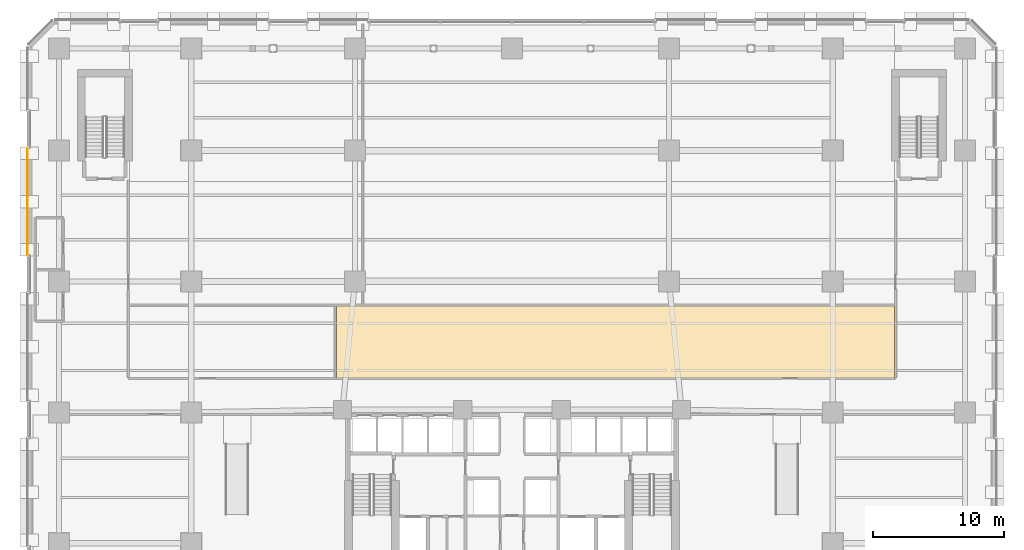
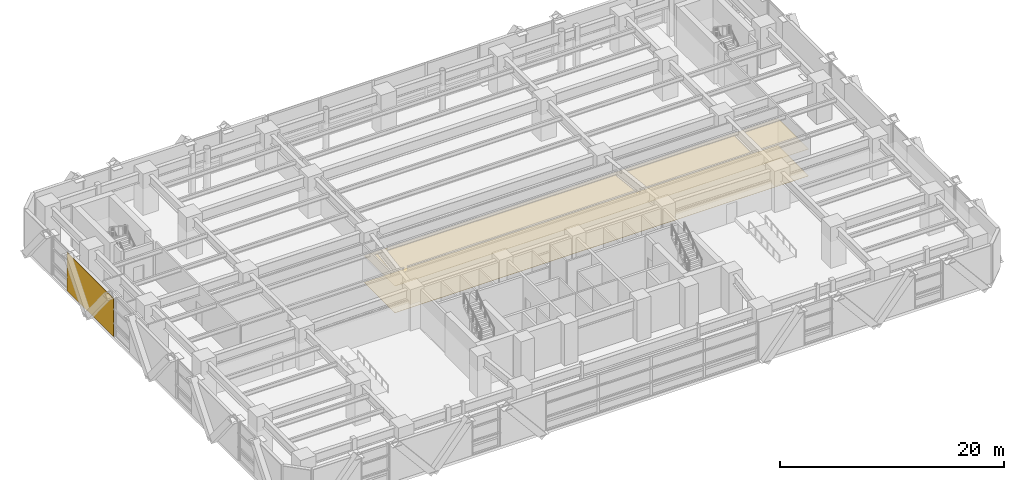
# One storey, part 23 of 26: 3 coverings.
"""IFC4 building model written with IfcOpenShell, lengths in metres."""

import ifcopenshell
import ifcopenshell.guid

model = None  # the IFC model being written
_history = None  # IfcOwnerHistory: only IFC2X3 demands one
_inside = {}  # id of a spatial element -> (the spatial element, [elements in it])
_under = {}  # id of a project, library or spatial element -> (it, [spatial elements below it])
_declared = {}  # id of a project -> (the project, [libraries it declares])
_typed = {}  # id of a type object -> (the type object, [elements of that type])
_made_of = {}  # id of a material, layer set ... -> (it, [elements and type objects made of it])


def new_model(schema):
    """Start an empty IFC model of exactly this schema.

    Asked for "IFC4X3", IfcOpenShell would pick the latest addendum, in which some entities
    have other attributes; the version numbers below select the first issue.
    IFC2X3 requires an IfcOwnerHistory on every rooted entity: one is made here for all.
    """
    global model, _history
    if schema == "IFC4X3":
        model = ifcopenshell.file(schema_version=(4, 3, 0, 0))
    else:
        model = ifcopenshell.file(schema=schema)
    _inside.clear()
    _under.clear()
    _declared.clear()
    _typed.clear()
    _made_of.clear()
    _history = None
    if model.schema == "IFC2X3":
        org = make("IfcOrganization", Name="unknown")
        user = make(
            "IfcPersonAndOrganization",
            ThePerson=make("IfcPerson", FamilyName="unknown"),
            TheOrganization=org,
        )
        app = make(
            "IfcApplication",
            ApplicationDeveloper=org,
            Version="unknown",
            ApplicationFullName="unknown",
            ApplicationIdentifier="unknown",
        )
        _history = make(
            "IfcOwnerHistory",
            OwningUser=user,
            OwningApplication=app,
            ChangeAction="ADDED",
            CreationDate=0,
        )
    return model


def make(cls, **values):
    """One entity of the class cls with the attributes given. An attribute that is None is left unset."""
    return model.create_entity(
        cls, **{name: value for name, value in values.items() if value is not None}
    )


def rooted(cls, **values):
    """An entity with a GlobalId (a new one), such as an element, a storey or a relation."""
    return make(cls, GlobalId=ifcopenshell.guid.new(), OwnerHistory=_history, **values)


def si_unit(unit_type, name, prefix=None):
    """IfcSIUnit, for example si_unit("LENGTHUNIT", "METRE", prefix="MILLI")."""
    return make("IfcSIUnit", UnitType=unit_type, Prefix=prefix, Name=name)


def assignment(units):
    """IfcUnitAssignment: the units of a project."""
    return None if units is None else make("IfcUnitAssignment", Units=units)


def point(xyz):
    """IfcCartesianPoint."""
    return None if xyz is None else make("IfcCartesianPoint", Coordinates=xyz)


def direction(xyz):
    """IfcDirection."""
    return None if xyz is None else make("IfcDirection", DirectionRatios=xyz)


def frame(location, z_axis=None, x_axis=None):
    """IfcAxis2Placement3D, a coordinate frame: its origin and axes. An axis left out is left unset."""
    return make(
        "IfcAxis2Placement3D",
        Location=point(location),
        Axis=direction(z_axis),
        RefDirection=direction(x_axis),
    )


def origin():
    """The frame at (0, 0, 0) with its axes left unset."""
    return frame((0.0, 0.0, 0.0))


def place(relative_to, where):
    """IfcLocalPlacement: puts the frame where relative to a parent placement (None: the world)."""
    return make(
        "IfcLocalPlacement", PlacementRelTo=relative_to, RelativePlacement=where
    )


def context(
    kind, dimensions, precision=None, world=None, true_north=None, identifier=None
):
    """IfcGeometricRepresentationContext, for example the 3D "Model" context."""
    return make(
        "IfcGeometricRepresentationContext",
        ContextIdentifier=identifier,
        ContextType=kind,
        CoordinateSpaceDimension=dimensions,
        Precision=precision,
        WorldCoordinateSystem=world,
        TrueNorth=true_north,
    )


def subcontext(parent, identifier, kind, view, scale=None):
    """IfcGeometricRepresentationSubContext, for example "Body" below "Model"."""
    return make(
        "IfcGeometricRepresentationSubContext",
        ContextIdentifier=identifier,
        ContextType=kind,
        ParentContext=parent,
        TargetScale=scale,
        TargetView=view,
    )


def project(units=None, contexts=None):
    """IfcProject with its units and contexts."""
    return rooted(
        "IfcProject",
        Name="project",
        RepresentationContexts=contexts,
        UnitsInContext=assignment(units),
    )


def spatial(cls, under=None, at=None, **own):
    """A site, building, storey or space (cls), placed at a placement, below another one or the project."""
    s = rooted(cls, ObjectPlacement=at, **own)
    if under is not None:
        _under.setdefault(under.id(), (under, []))[1].append(s)
    return s


def polyline(points):
    """IfcPolyline through the points."""
    return make("IfcPolyline", Points=[point(p) for p in points])


def outline(outer, holes=None, kind="AREA"):
    """IfcArbitraryClosedProfileDef: a profile drawn as a closed curve; with holes, ...WithVoids."""
    if holes is None:
        return make("IfcArbitraryClosedProfileDef", ProfileType=kind, OuterCurve=outer)
    return make(
        "IfcArbitraryProfileDefWithVoids",
        ProfileType=kind,
        OuterCurve=outer,
        InnerCurves=holes,
    )


def extrude(swept, where, along, depth):
    """IfcExtrudedAreaSolid: the profile swept, set in the frame where, extruded along a direction by depth."""
    return make(
        "IfcExtrudedAreaSolid",
        SweptArea=swept,
        Position=where,
        ExtrudedDirection=direction(along),
        Depth=depth,
    )


def shape(context_of_items, identifier, shape_type, items):
    """IfcShapeRepresentation: the items that make up one representation, for example the "Body"."""
    return make(
        "IfcShapeRepresentation",
        ContextOfItems=context_of_items,
        RepresentationIdentifier=identifier,
        RepresentationType=shape_type,
        Items=items,
    )


def material(Name=None, Category=None):
    """IfcMaterial."""
    return make("IfcMaterial", Name=Name, Category=Category)


def layer(
    of_material, thickness, ventilated=None, Name=None, Category=None, Priority=None
):
    """IfcMaterialLayer: one layer of a wall or slab, of a material (None: an air gap)."""
    return make(
        "IfcMaterialLayer",
        Material=of_material,
        LayerThickness=thickness,
        IsVentilated=ventilated,
        Name=Name,
        Category=Category,
        Priority=Priority,
    )


def layer_set(layers, Name=None):
    """IfcMaterialLayerSet."""
    return make("IfcMaterialLayerSet", MaterialLayers=layers, LayerSetName=Name)


def made_of(thing, what):
    """Note that an element or type object is made of a material, layer set ...; save() writes the relation."""
    if what is not None:
        _made_of.setdefault(what.id(), (what, []))[1].append(thing)
    return thing


def type_object(cls, material=None, **own):
    """A type object (cls), such as IfcWallType, which elements share."""
    return made_of(rooted(cls, **own), material)


def element(
    cls,
    number,
    at=None,
    inside=None,
    cuts=None,
    type_object=None,
    material=None,
    context=None,
    identifier="Body",
    shape_type=None,
    held_by="IfcProductDefinitionShape",
    body=None,
    shapes=None,
    **own,
):
    """One element of the class cls, such as IfcWall. Its Tag is "e" and its number.

    at: its placement. inside: the storey or other place that contains it. cuts: it is an
    opening in that element (IfcRelVoidsElement). A single representation is given by context,
    identifier, shape_type and body (its items); several are given by shapes. held_by: the class
    of the entity that holds the representations. save() writes the other relations.
    """
    e = rooted(cls, Tag="e%d" % number, ObjectPlacement=at, **own)
    if body is not None:
        shapes = [shape(context, identifier, shape_type, body)]
    if shapes is not None:
        e.Representation = make(held_by, Representations=shapes)
    if inside is not None:
        _inside.setdefault(inside.id(), (inside, []))[1].append(e)
    if cuts is not None:
        rooted(
            "IfcRelVoidsElement", RelatingBuildingElement=cuts, RelatedOpeningElement=e
        )
    if type_object is not None:
        _typed.setdefault(type_object.id(), (type_object, []))[1].append(e)
    return made_of(e, material)


def aggregate(whole, parts):
    """IfcRelAggregates: a whole, such as a stair, and the parts it consists of."""
    return rooted("IfcRelAggregates", RelatingObject=whole, RelatedObjects=parts)


def save(model, path):
    """Write the relations noted so far, then the file.

    IfcRelAggregates (storeys below a building ...), IfcRelContainedInSpatialStructure (elements
    in a storey), IfcRelDefinesByType, IfcRelAssociatesMaterial and IfcRelDeclares: one each for
    every whole, place, type object, material and project.
    """
    for whole, parts in _under.values():
        aggregate(whole, parts)
    for where, things in _inside.values():
        rooted(
            "IfcRelContainedInSpatialStructure",
            RelatedElements=things,
            RelatingStructure=where,
        )
    for kind, things in _typed.values():
        rooted("IfcRelDefinesByType", RelatedObjects=things, RelatingType=kind)
    for what, things in _made_of.values():
        rooted("IfcRelAssociatesMaterial", RelatedObjects=things, RelatingMaterial=what)
    for by, libraries in _declared.values():
        rooted("IfcRelDeclares", RelatingContext=by, RelatedDefinitions=libraries)
    model.write(path)


model = new_model("IFC4")

# Units and contexts
model_context = context("Model", 3, precision=1e-05, world=origin(), true_north=direction((0.0, 1.0)))
body_context = subcontext(model_context, "Body", "Model", "MODEL_VIEW")
ifc_project = project(units=[si_unit("LENGTHUNIT", "METRE"), si_unit("AREAUNIT", "SQUARE_METRE"), si_unit("VOLUMEUNIT", "CUBIC_METRE"), si_unit("PLANEANGLEUNIT", "RADIAN"), si_unit("MASSUNIT", "GRAM", prefix="KILO")], contexts=[model_context])

# Site, building, storey
site_placement = place(None, origin())
site = spatial("IfcSite", under=ifc_project, at=site_placement, CompositionType="ELEMENT")
building_placement = place(site_placement, origin())
building = spatial("IfcBuilding", under=site, at=building_placement, Name="Quenlor Broadcast Tower", CompositionType="ELEMENT")
storey_placement = place(building_placement, frame((0.0, 0.0, 5.0)))
storey = spatial("IfcBuildingStorey", under=building, at=storey_placement, Name="L01", CompositionType="ELEMENT", Elevation=5.0)

# Coverings
ifc_material_1 = material(Name="Acoustic Mineral Fibre Board", Category="other")
ifc_layer_1 = layer(ifc_material_1, 0.02490234375)
ifc_layer_set_1 = layer_set([ifc_layer_1], Name="Acoustic Perforated Mineral Tile Ceiling 25")
covering_type_1 = type_object("IfcCoveringType", Name="Acoustic Perforated Mineral Tile Ceiling 25", PredefinedType="CEILING", material=ifc_layer_set_1)
covering_1_placement = place(storey_placement, frame((0.0, 0.0, 2.925048828125)))
element("IfcCovering", 1, at=covering_1_placement, inside=storey, type_object=covering_type_1, Name="L01 Acoustic Ceiling L01-36", PredefinedType="CEILING", context=body_context, shape_type="SweptSolid", body=[
    extrude(outline(polyline([(29.199951171875, -2.360107421875), (-13.419921875, -2.360107421875), (-13.419921875, 3.1201171875), (29.199951171875, 3.1201171875), (29.199951171875, -2.360107421875)])), origin(), (0.0, 0.0, 1.0), 0.02490234375),
])
ifc_material_2 = material(Name="Architectural Terracotta Ceramic", Category="masonry")
ifc_layer_2 = layer(ifc_material_2, 0.044921875)
ifc_layer_set_2 = layer_set([ifc_layer_2], Name="Fluted Terracotta Rainscreen Cladding Panel")
covering_type_2 = type_object("IfcCoveringType", Name="Fluted Terracotta Rainscreen Cladding Panel", PredefinedType="CLADDING", material=ifc_layer_set_2)
covering_2_placement = place(storey_placement, frame((0.0, 0.0, 0.02001953125)))
element("IfcCovering", 2, at=covering_2_placement, inside=storey, type_object=covering_type_2, Name="L01 Terracotta Rainscreen Cladding L01-W-FULL-SP4", PredefinedType="CLADDING", context=body_context, shape_type="SweptSolid", body=[
    extrude(outline(polyline([(-36.971923828125, 6.977294921875), (-36.971923828125, 15.22265625), (-37.01708984375, 15.22265625), (-37.01708984375, 6.977294921875), (-36.971923828125, 6.977294921875)])), origin(), (0.0, 0.0, 1.0), 4.159912109375),
])
ifc_material_3 = material(Name="Terrazzo Stone Finish", Category="masonry")
ifc_layer_3 = layer(ifc_material_3, 0.02001953125)
ifc_layer_set_3 = layer_set([ifc_layer_3], Name="Polished Sandstone Terrazzo Flooring 20")
covering_type_3 = type_object("IfcCoveringType", Name="Polished Sandstone Terrazzo Flooring 20", PredefinedType="FLOORING", material=ifc_layer_set_3)
covering_3_placement = place(storey_placement, origin())
element("IfcCovering", 3, at=covering_3_placement, inside=storey, type_object=covering_type_3, Name="L01 Terrazzo Flooring L01-36", PredefinedType="FLOORING", context=body_context, shape_type="SweptSolid", body=[
    extrude(outline(polyline([(29.199951171875, -2.360107421875), (-13.419921875, -2.360107421875), (-13.419921875, 3.1201171875), (29.199951171875, 3.1201171875), (29.199951171875, -2.360107421875)])), origin(), (0.0, 0.0, 1.0), 0.02001953125),
])

save(model, "model.ifc")
